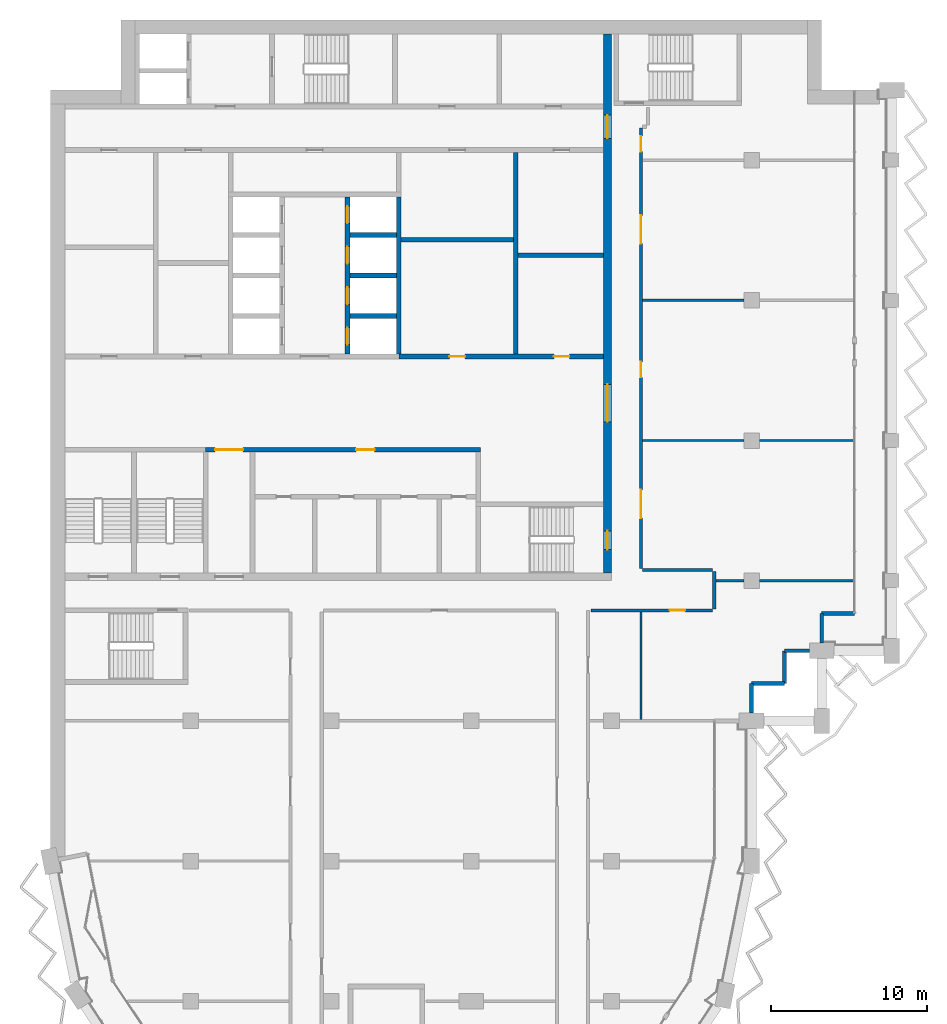
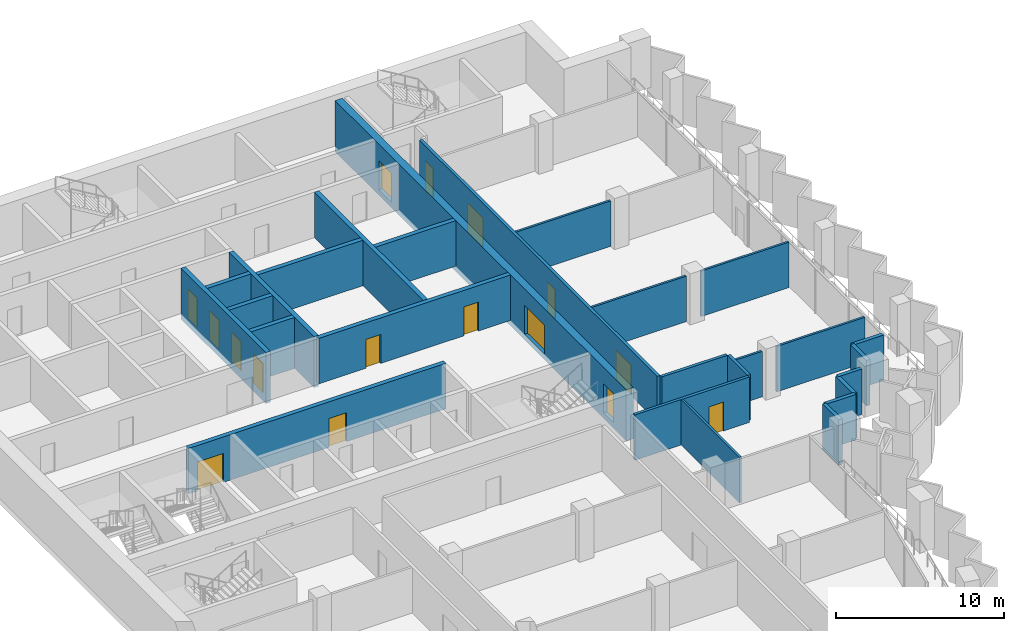
# One storey, part 10 of 17: 27 walls, 16 doors, 16 openings.
"""IFC4 building model written with IfcOpenShell, lengths in metres."""

from ifc_helpers import new_model, si_unit, direction, frame, frame_2d, origin, place, context, subcontext, project, spatial, rectangle, extrude, material, layer, layer_set, type_object, element, fill, save


model = new_model("IFC4")

# Units and contexts
model_context = context("Model", 3, precision=1e-05, world=origin(), true_north=direction((0.0, 1.0)))
body_context = subcontext(model_context, "Body", "Model", "MODEL_VIEW")
ifc_project = project(units=[si_unit("LENGTHUNIT", "METRE"), si_unit("AREAUNIT", "SQUARE_METRE"), si_unit("VOLUMEUNIT", "CUBIC_METRE"), si_unit("PLANEANGLEUNIT", "RADIAN"), si_unit("MASSUNIT", "GRAM", prefix="KILO")], contexts=[model_context])

# Site, building, storey
site_placement = place(None, origin())
site = spatial("IfcSite", under=ifc_project, at=site_placement, CompositionType="ELEMENT")
building_placement = place(site_placement, origin())
building = spatial("IfcBuilding", under=site, at=building_placement, Name="Hunhe Ridgeline Campus", CompositionType="ELEMENT")
storey_placement = place(building_placement, frame((0.0, 0.0, 265.10009765625)))
storey = spatial("IfcBuildingStorey", under=building, at=storey_placement, Name="L68", CompositionType="ELEMENT", Elevation=265.10009765625)

# Wall, openings, doors
ifc_material_1 = material(Name="Masonry concrete blockwork", Category="masonry")
ifc_layer_1 = layer(ifc_material_1, 0.300048828125)
ifc_layer_set_1 = layer_set([ifc_layer_1], Name="Core room partition 300 concrete block")
wall_type_1 = type_object("IfcWallType", Name="Core room partition 300 concrete block", PredefinedType="PARTITIONING", material=ifc_layer_set_1)
wall_1_placement = place(storey_placement, frame((9.949951171875, 71.39990234375, 0.0), z_axis=(0.0, 0.0, 1.0), x_axis=(1.0, 0.0, 0.0)))
wall_1 = element("IfcWall", 1, at=wall_1_placement, inside=storey, type_object=wall_type_1, Name="L68 core partition 9", PredefinedType="PARTITIONING", context=body_context, shape_type="SweptSolid", body=[
    extrude(rectangle(XDim=17.650146484375, YDim=0.300048828125, at=frame_2d((8.8251953125, 0.0))), origin(), (0.0, 0.0, 1.0), 3.2998046875),
])
opening_1_placement = place(wall_1_placement, frame((0.60009765625, 0.0, 0.0)))
opening_1 = element("IfcOpeningElement", 2, at=opening_1_placement, cuts=wall_1, Name="Opening CD7", PredefinedType="OPENING", context=body_context, shape_type="SweptSolid", body=[
    extrude(rectangle(XDim=1.800048828125, YDim=2.10009765625, at=frame_2d((0.89990234375, 1.050048828125))), frame((0.0, 0.14990234375, 0.0), z_axis=(0.0, -1.0, 0.0), x_axis=(1.0, 0.0, 0.0)), (0.0, 0.0, 1.0), 0.300048828125),
])
opening_2_placement = place(wall_1_placement, frame((9.64990234375, 0.0, 0.0)))
opening_2 = element("IfcOpeningElement", 3, at=opening_2_placement, cuts=wall_1, Name="Opening CD12", PredefinedType="OPENING", context=body_context, shape_type="SweptSolid", body=[
    extrude(rectangle(XDim=1.199951171875, YDim=2.10009765625, at=frame_2d((0.60009765625, 1.050048828125))), frame((0.0, 0.14990234375, 0.0), z_axis=(0.0, -1.0, 0.0), x_axis=(1.0, 0.0, 0.0)), (0.0, 0.0, 1.0), 0.300048828125),
])
ifc_material_2 = material(Name="Anodised aluminium and glass", Category="aluminium")
door_type_1 = type_object("IfcDoorType", Name="Glazed double door 1800x2100", OperationType="DOUBLE_DOOR_SINGLE_SWING", PredefinedType="DOOR", material=ifc_material_2)
door_1_placement = place(opening_1_placement, origin())
door_1 = element("IfcDoor", 4, at=door_1_placement, inside=storey, type_object=door_type_1, Name="L68 door VEST-HALL", OperationType="DOUBLE_DOOR_SINGLE_SWING", OverallHeight=2.10009765625, OverallWidth=1.800048828125, PredefinedType="DOOR", context=body_context, shape_type="SweptSolid", body=[
    extrude(rectangle(XDim=1.800048828125, YDim=2.10009765625, at=frame_2d((0.89990234375, 1.050048828125))), frame((0.0, 0.02490234375, 0.0), z_axis=(0.0, -1.0, 0.0), x_axis=(1.0, 0.0, 0.0)), (0.0, 0.0, 1.0), 0.050048828125),
])
fill(opening_1, door_1)
ifc_material_3 = material(Name="Solid core timber door leaf", Category="wood")
door_type_2 = type_object("IfcDoorType", Name="Timber door 1200x2100", OperationType="SINGLE_SWING_LEFT", PredefinedType="DOOR", material=ifc_material_3)
door_2_placement = place(opening_2_placement, origin())
door_2 = element("IfcDoor", 5, at=door_2_placement, inside=storey, type_object=door_type_2, Name="L68 door WCL2-HALL", OperationType="SINGLE_SWING_RIGHT", OverallHeight=2.10009765625, OverallWidth=1.199951171875, PredefinedType="DOOR", context=body_context, shape_type="SweptSolid", body=[
    extrude(rectangle(XDim=1.199951171875, YDim=2.10009765625, at=frame_2d((0.60009765625, 1.050048828125))), frame((0.0, 0.02490234375, 0.0), z_axis=(0.0, -1.0, 0.0), x_axis=(1.0, 0.0, 0.0)), (0.0, 0.0, 1.0), 0.050048828125),
])
fill(opening_2, door_2)

wall_2_placement = place(storey_placement, frame((22.35009765625, 77.39990234375, 0.0), z_axis=(0.0, 0.0, 1.0), x_axis=(1.0, 0.0, 0.0)))
wall_2 = element("IfcWall", 6, at=wall_2_placement, inside=storey, type_object=wall_type_1, Name="L68 core partition 11", PredefinedType="PARTITIONING", context=body_context, shape_type="SweptSolid", body=[
    extrude(rectangle(XDim=13.14990234375, YDim=0.300048828125, at=frame_2d((6.574951171875, 0.0))), origin(), (0.0, 0.0, 1.0), 3.2998046875),
])
opening_3_placement = place(wall_2_placement, frame((3.25, 0.0, 0.0)))
opening_3 = element("IfcOpeningElement", 7, at=opening_3_placement, cuts=wall_2, Name="Opening CD32", PredefinedType="OPENING", context=body_context, shape_type="SweptSolid", body=[
    extrude(rectangle(XDim=1.0, YDim=2.10009765625, at=frame_2d((0.5, 1.050048828125))), frame((0.0, 0.14990234375, 0.0), z_axis=(0.0, -1.0, 0.0), x_axis=(1.0, 0.0, 0.0)), (0.0, 0.0, 1.0), 0.300048828125),
])
opening_4_placement = place(wall_2_placement, frame((9.949951171875, 0.0, 0.0)))
opening_4 = element("IfcOpeningElement", 8, at=opening_4_placement, cuts=wall_2, Name="Opening CD42", PredefinedType="OPENING", context=body_context, shape_type="SweptSolid", body=[
    extrude(rectangle(XDim=1.0, YDim=2.10009765625, at=frame_2d((0.5, 1.050048828125))), frame((0.0, 0.14990234375, 0.0), z_axis=(0.0, -1.0, 0.0), x_axis=(1.0, 0.0, 0.0)), (0.0, 0.0, 1.0), 0.300048828125),
])
door_type_3 = type_object("IfcDoorType", Name="Timber door 1000x2100", OperationType="SINGLE_SWING_LEFT", PredefinedType="DOOR", material=ifc_material_3)
door_3_placement = place(opening_3_placement, origin())
door_3 = element("IfcDoor", 9, at=door_3_placement, inside=storey, type_object=door_type_3, Name="L68 door ES0", OperationType="SINGLE_SWING_LEFT", OverallHeight=2.10009765625, OverallWidth=1.0, PredefinedType="DOOR", context=body_context, shape_type="SweptSolid", body=[
    extrude(rectangle(XDim=1.0, YDim=2.10009765625, at=frame_2d((0.5, 1.050048828125))), frame((0.0, 0.02490234375, 0.0), z_axis=(0.0, -1.0, 0.0), x_axis=(1.0, 0.0, 0.0)), (0.0, 0.0, 1.0), 0.050048828125),
])
fill(opening_3, door_3)
door_4_placement = place(opening_4_placement, origin())
door_4 = element("IfcDoor", 10, at=door_4_placement, inside=storey, type_object=door_type_3, Name="L68 door ES2", OperationType="SINGLE_SWING_LEFT", OverallHeight=2.10009765625, OverallWidth=1.0, PredefinedType="DOOR", context=body_context, shape_type="SweptSolid", body=[
    extrude(rectangle(XDim=1.0, YDim=2.10009765625, at=frame_2d((0.5, 1.050048828125))), frame((0.0, 0.02490234375, 0.0), z_axis=(0.0, -1.0, 0.0), x_axis=(1.0, 0.0, 0.0)), (0.0, 0.0, 1.0), 0.050048828125),
])
fill(opening_4, door_4)

# Walls
wall_3_placement = place(storey_placement, frame((30.0, 83.89990234375, 0.0), z_axis=(0.0, 0.0, 1.0), x_axis=(1.0, 0.0, 0.0)))
element("IfcWall", 11, at=wall_3_placement, inside=storey, type_object=wall_type_1, Name="L68 core partition 17", PredefinedType="PARTITIONING", context=body_context, shape_type="SweptSolid", body=[
    extrude(rectangle(XDim=5.5, YDim=0.300048828125, at=frame_2d((2.75, 0.0))), origin(), (0.0, 0.0, 1.0), 3.2998046875),
])
wall_4_placement = place(storey_placement, frame((22.5, 84.89990234375, 0.0), z_axis=(0.0, 0.0, 1.0), x_axis=(1.0, 0.0, 0.0)))
element("IfcWall", 12, at=wall_4_placement, inside=storey, type_object=wall_type_1, Name="L68 core partition 19", PredefinedType="PARTITIONING", context=body_context, shape_type="SweptSolid", body=[
    extrude(rectangle(XDim=7.199951171875, YDim=0.300048828125, at=frame_2d((3.60009765625, 0.0))), origin(), (0.0, 0.0, 1.0), 3.2998046875),
])
wall_5_placement = place(storey_placement, frame((29.85009765625, 77.550048828125, 0.0), z_axis=(0.0, 0.0, 1.0), x_axis=(0.0, 1.0, 0.0)))
element("IfcWall", 13, at=wall_5_placement, inside=storey, type_object=wall_type_1, Name="L68 core partition 50", PredefinedType="PARTITIONING", context=body_context, shape_type="SweptSolid", body=[
    extrude(rectangle(XDim=12.949951171875, YDim=0.300048828125, at=frame_2d((6.47509765625, 0.0))), origin(), (0.0, 0.0, 1.0), 3.2998046875),
])

# Wall, openings, doors
ifc_material_4 = material(Name="Concrete C50", Category="concrete")
ifc_layer_2 = layer(ifc_material_4, 0.5)
ifc_layer_set_2 = layer_set([ifc_layer_2], Name="Core wall 500 reinforced concrete C50")
wall_type_2 = type_object("IfcWallType", Name="Core wall 500 reinforced concrete C50", PredefinedType="SOLIDWALL", material=ifc_layer_set_2)
wall_6_placement = place(storey_placement, frame((35.75, 63.5, -0.400146484375), z_axis=(0.0, 0.0, 1.0), x_axis=(0.0, 1.0, 0.0)))
wall_6 = element("IfcWall", 14, at=wall_6_placement, inside=storey, type_object=wall_type_2, Name="L68 core wall 51", PredefinedType="SOLIDWALL", context=body_context, shape_type="SweptSolid", body=[
    extrude(rectangle(XDim=34.60009765625, YDim=0.5, at=frame_2d((17.300048828125, 0.0))), origin(), (0.0, 0.0, 1.0), 3.699951171875),
])
opening_5_placement = place(wall_6_placement, frame((9.699951171875, 0.0, 0.39990234375)))
opening_5 = element("IfcOpeningElement", 15, at=opening_5_placement, cuts=wall_6, Name="Opening CD4", PredefinedType="OPENING", context=body_context, shape_type="SweptSolid", body=[
    extrude(rectangle(XDim=2.39990234375, YDim=2.10009765625, at=frame_2d((1.199951171875, 1.050048828125))), frame((0.0, 0.25, 0.0), z_axis=(0.0, -1.0, 0.0), x_axis=(1.0, 0.0, 0.0)), (0.0, 0.0, 1.0), 0.5),
])
opening_6_placement = place(wall_6_placement, frame((27.89990234375, 0.0, 0.39990234375)))
opening_6 = element("IfcOpeningElement", 16, at=opening_6_placement, cuts=wall_6, Name="Opening CD5", PredefinedType="OPENING", context=body_context, shape_type="SweptSolid", body=[
    extrude(rectangle(XDim=1.5, YDim=2.10009765625, at=frame_2d((0.75, 1.050048828125))), frame((0.0, 0.25, 0.0), z_axis=(0.0, -1.0, 0.0), x_axis=(1.0, 0.0, 0.0)), (0.0, 0.0, 1.0), 0.5),
])
opening_7_placement = place(wall_6_placement, frame((1.5, 0.0, 0.39990234375)))
opening_7 = element("IfcOpeningElement", 17, at=opening_7_placement, cuts=wall_6, Name="Opening CD15", PredefinedType="OPENING", context=body_context, shape_type="SweptSolid", body=[
    extrude(rectangle(XDim=1.199951171875, YDim=2.10009765625, at=frame_2d((0.60009765625, 1.050048828125))), frame((0.0, 0.25, 0.0), z_axis=(0.0, -1.0, 0.0), x_axis=(1.0, 0.0, 0.0)), (0.0, 0.0, 1.0), 0.5),
])
door_type_4 = type_object("IfcDoorType", Name="Glazed double door 2400x2100", OperationType="DOUBLE_DOOR_SINGLE_SWING", PredefinedType="DOOR", material=ifc_material_2)
door_5_placement = place(opening_5_placement, frame((2.39990234375, 0.0, 0.0), z_axis=(0.0, 0.0, 1.0), x_axis=(-1.0, 0.0, 0.0)))
door_5 = element("IfcDoor", 18, at=door_5_placement, inside=storey, type_object=door_type_4, Name="L68 door HALL-FLOOR", OperationType="DOUBLE_DOOR_SINGLE_SWING", OverallHeight=2.10009765625, OverallWidth=2.39990234375, PredefinedType="DOOR", context=body_context, shape_type="SweptSolid", body=[
    extrude(rectangle(XDim=2.39990234375, YDim=2.10009765625, at=frame_2d((1.199951171875, 1.050048828125))), frame((0.0, 0.02490234375, 0.0), z_axis=(0.0, -1.0, 0.0), x_axis=(1.0, 0.0, 0.0)), (0.0, 0.0, 1.0), 0.050048828125),
])
fill(opening_5, door_5)
ifc_material_5 = material(Name="Hollow metal fire door leaf")
door_type_5 = type_object("IfcDoorType", Name="Stair door 1200x2100 FD60", OperationType="SINGLE_SWING_LEFT", PredefinedType="DOOR", material=ifc_material_5)
door_6_placement = place(opening_7_placement, frame((1.199951171875, 0.0, 0.0), z_axis=(0.0, 0.0, 1.0), x_axis=(-1.0, 0.0, 0.0)))
door_6 = element("IfcDoor", 19, at=door_6_placement, inside=storey, type_object=door_type_5, Name="L68 door S2-FLOOR", OperationType="SINGLE_SWING_LEFT", OverallHeight=2.10009765625, OverallWidth=1.199951171875, PredefinedType="DOOR", context=body_context, shape_type="SweptSolid", body=[
    extrude(rectangle(XDim=1.199951171875, YDim=2.10009765625, at=frame_2d((0.60009765625, 1.050048828125))), frame((0.0, 0.02490234375, 0.0), z_axis=(0.0, -1.0, 0.0), x_axis=(1.0, 0.0, 0.0)), (0.0, 0.0, 1.0), 0.050048828125),
])
fill(opening_7, door_6)
door_type_6 = type_object("IfcDoorType", Name="Timber door 1500x2100", OperationType="SINGLE_SWING_LEFT", PredefinedType="DOOR", material=ifc_material_3)
door_7_placement = place(opening_6_placement, frame((1.5, 0.0, 0.0), z_axis=(0.0, 0.0, 1.0), x_axis=(-1.0, 0.0, 0.0)))
door_7 = element("IfcDoor", 20, at=door_7_placement, inside=storey, type_object=door_type_6, Name="L68 door C1-FLOOR", OperationType="SINGLE_SWING_LEFT", OverallHeight=2.10009765625, OverallWidth=1.5, PredefinedType="DOOR", context=body_context, shape_type="SweptSolid", body=[
    extrude(rectangle(XDim=1.5, YDim=2.10009765625, at=frame_2d((0.75, 1.050048828125))), frame((0.0, 0.02490234375, 0.0), z_axis=(0.0, -1.0, 0.0), x_axis=(1.0, 0.0, 0.0)), (0.0, 0.0, 1.0), 0.050048828125),
])
fill(opening_6, door_7)

# Walls
ifc_material_6 = material(Name="Concrete C30", Category="concrete")
ifc_layer_3 = layer(ifc_material_6, 0.25)
ifc_layer_set_3 = layer_set([ifc_layer_3], Name="Corner return wall 250 Concrete C30")
wall_type_3 = type_object("IfcWallType", Name="Corner return wall 250 Concrete C30", PredefinedType="SOLIDWALL", material=ifc_layer_set_3)
wall_7_placement = place(storey_placement, frame((44.9990234375, 54.5, 0.0), z_axis=(0.0, 0.0, 1.0), x_axis=(0.000128452151, 0.99999999175, 0.0)))
element("IfcWall", 21, at=wall_7_placement, inside=storey, type_object=wall_type_3, Name="Corner return wall 3", PredefinedType="SOLIDWALL", context=body_context, shape_type="SweptSolid", body=[
    extrude(rectangle(XDim=1.900634765625, YDim=0.25, at=frame_2d((0.9501953125, 0.0))), origin(), (0.0, 0.0, 1.0), 3.2998046875),
])
wall_8_placement = place(storey_placement, frame((44.999267578125, 56.400634765625, 0.0), z_axis=(0.0, 0.0, 1.0), x_axis=(0.999999993241, 0.00011626555, 0.0)))
element("IfcWall", 22, at=wall_8_placement, inside=storey, type_object=wall_type_3, Name="Corner return wall 4", PredefinedType="SOLIDWALL", context=body_context, shape_type="SweptSolid", body=[
    extrude(rectangle(XDim=2.099853515625, YDim=0.25, at=frame_2d((1.0498046875, 0.0))), origin(), (0.0, 0.0, 1.0), 3.2998046875),
])
wall_9_placement = place(storey_placement, frame((47.09912109375, 56.40087890625, 0.0), z_axis=(0.0, 0.0, 1.0), x_axis=(0.000232504063, 0.999999972971, 0.0)))
element("IfcWall", 23, at=wall_9_placement, inside=storey, type_object=wall_type_3, Name="Corner return wall 5", PredefinedType="SOLIDWALL", context=body_context, shape_type="SweptSolid", body=[
    extrude(rectangle(XDim=2.10009765625, YDim=0.25, at=frame_2d((1.050048828125, 0.0))), origin(), (0.0, 0.0, 1.0), 3.2998046875),
])
wall_10_placement = place(storey_placement, frame((47.099609375, 58.5009765625, 0.0), z_axis=(0.0, 0.0, 1.0), x_axis=(1.0, 0.0, 0.0)))
element("IfcWall", 24, at=wall_10_placement, inside=storey, type_object=wall_type_3, Name="Corner return wall 6", PredefinedType="SOLIDWALL", context=body_context, shape_type="SweptSolid", body=[
    extrude(rectangle(XDim=1.600341796875, YDim=0.25, at=frame_2d((0.80029296875, 0.0))), origin(), (0.0, 0.0, 1.0), 3.2998046875),
])
wall_11_placement = place(storey_placement, frame((49.4990234375, 59.0, 0.0), z_axis=(0.0, 0.0, 1.0), x_axis=(0.000256871299, 0.999999967009, 0.0)))
element("IfcWall", 25, at=wall_11_placement, inside=storey, type_object=wall_type_3, Name="Corner return wall 7", PredefinedType="SOLIDWALL", context=body_context, shape_type="SweptSolid", body=[
    extrude(rectangle(XDim=1.90087890625, YDim=0.25, at=frame_2d((0.950439453125, 0.0))), origin(), (0.0, 0.0, 1.0), 3.2998046875),
])
wall_12_placement = place(storey_placement, frame((49.49951171875, 60.90087890625, 0.0), z_axis=(0.0, 0.0, 1.0), x_axis=(1.0, 0.0, 0.0)))
element("IfcWall", 26, at=wall_12_placement, inside=storey, type_object=wall_type_3, Name="Corner return wall 8", PredefinedType="SOLIDWALL", context=body_context, shape_type="SweptSolid", body=[
    extrude(rectangle(XDim=2.099609375, YDim=0.25, at=frame_2d((1.0498046875, 0.0))), origin(), (0.0, 0.0, 1.0), 3.2998046875),
])

# Wall, opening, door
ifc_material_7 = material(Name="Gypsum board partition")
ifc_layer_4 = layer(ifc_material_7, 0.199951171875)
ifc_layer_set_4 = layer_set([ifc_layer_4], Name="Corridor partition 200 gypsum board on steel studs")
wall_type_4 = type_object("IfcWallType", Name="Corridor partition 200 gypsum board on steel studs", PredefinedType="PARTITIONING", material=ifc_layer_set_4)
wall_13_placement = place(storey_placement, frame((42.5, 61.10009765625, 0.0), z_axis=(0.0, 0.0, 1.0), x_axis=(-1.0, 0.0, 0.0)))
wall_13 = element("IfcWall", 27, at=wall_13_placement, inside=storey, type_object=wall_type_4, Name="F-L68-wall-026", PredefinedType="PARTITIONING", context=body_context, shape_type="SweptSolid", body=[
    extrude(rectangle(XDim=7.828369140625, YDim=0.199951171875, at=frame_2d((3.9140625, 0.0))), origin(), (0.0, 0.0, 1.0), 3.2998046875),
])
opening_8_placement = place(wall_13_placement, frame((1.772705078125, 0.0, 0.0)))
opening_8 = element("IfcOpeningElement", 28, at=opening_8_placement, cuts=wall_13, Name="Opening RD1-013", PredefinedType="OPENING", context=body_context, shape_type="SweptSolid", body=[
    extrude(rectangle(XDim=1.0, YDim=2.10009765625, at=frame_2d((0.5, 1.050048828125))), frame((0.0, 0.10009765625, 0.0), z_axis=(0.0, -1.0, 0.0), x_axis=(1.0, 0.0, 0.0)), (0.0, 0.0, 1.0), 0.199951171875),
])
ifc_material_8 = material(Name="Timber door leaf", Category="wood")
door_type_7 = type_object("IfcDoorType", Name="Single fire door 1000x2100 timber FD60", OperationType="NOTDEFINED", PredefinedType="DOOR", material=ifc_material_8)
door_8_placement = place(opening_8_placement, origin())
door_8 = element("IfcDoor", 29, at=door_8_placement, inside=storey, type_object=door_type_7, Name="F-L68-door-013", OperationType="SINGLE_SWING_LEFT", OverallHeight=2.10009765625, OverallWidth=1.0, PredefinedType="DOOR", context=body_context, shape_type="SweptSolid", body=[
    extrude(rectangle(XDim=1.0, YDim=2.10009765625, at=frame_2d((0.5, 1.050048828125))), frame((0.0, 0.02490234375, 0.0), z_axis=(0.0, -1.0, 0.0), x_axis=(1.0, 0.0, 0.0)), (0.0, 0.0, 1.0), 0.050048828125),
])
fill(opening_8, door_8)

# Wall
wall_14_placement = place(storey_placement, frame((38.0, 63.699951171875, 0.0), z_axis=(0.0, 0.0, 1.0), x_axis=(1.0, 0.0, 0.0)))
element("IfcWall", 30, at=wall_14_placement, inside=storey, type_object=wall_type_4, Name="F-L68-wall-029", PredefinedType="PARTITIONING", context=body_context, shape_type="SweptSolid", body=[
    extrude(rectangle(XDim=4.5, YDim=0.199951171875, at=frame_2d((2.25, 0.0))), origin(), (0.0, 0.0, 1.0), 3.2998046875),
])

# Wall, openings, doors
wall_15_placement = place(storey_placement, frame((37.89990234375, 92.050048828125, 0.0), z_axis=(0.0, 0.0, 1.0), x_axis=(0.0, -1.0, 0.0)))
wall_15 = element("IfcWall", 31, at=wall_15_placement, inside=storey, type_object=wall_type_4, Name="F-L68-wall-046", PredefinedType="PARTITIONING", context=body_context, shape_type="SweptSolid", body=[
    extrude(rectangle(XDim=28.25, YDim=0.199951171875, at=frame_2d((14.125, 0.0))), origin(), (0.0, 0.0, 1.0), 3.2998046875),
])
opening_9_placement = place(wall_15_placement, frame((23.22509765625, 0.0, 0.0)))
opening_9 = element("IfcOpeningElement", 32, at=opening_9_placement, cuts=wall_15, Name="Opening RD2-014", PredefinedType="OPENING", context=body_context, shape_type="SweptSolid", body=[
    extrude(rectangle(XDim=1.800048828125, YDim=2.10009765625, at=frame_2d((0.89990234375, 1.050048828125))), frame((0.0, 0.10009765625, 0.0), z_axis=(0.0, -1.0, 0.0), x_axis=(1.0, 0.0, 0.0)), (0.0, 0.0, 1.0), 0.199951171875),
])
opening_10_placement = place(wall_15_placement, frame((15.0, 0.0, 0.0)))
opening_10 = element("IfcOpeningElement", 33, at=opening_10_placement, cuts=wall_15, Name="Opening RD1-015", PredefinedType="OPENING", context=body_context, shape_type="SweptSolid", body=[
    extrude(rectangle(XDim=1.0, YDim=2.10009765625, at=frame_2d((0.5, 1.050048828125))), frame((0.0, 0.10009765625, 0.0), z_axis=(0.0, -1.0, 0.0), x_axis=(1.0, 0.0, 0.0)), (0.0, 0.0, 1.0), 0.199951171875),
])
opening_11_placement = place(wall_15_placement, frame((5.60009765625, 0.0, 0.0)))
opening_11 = element("IfcOpeningElement", 34, at=opening_11_placement, cuts=wall_15, Name="Opening RD2-016", PredefinedType="OPENING", context=body_context, shape_type="SweptSolid", body=[
    extrude(rectangle(XDim=1.800048828125, YDim=2.10009765625, at=frame_2d((0.89990234375, 1.050048828125))), frame((0.0, 0.10009765625, 0.0), z_axis=(0.0, -1.0, 0.0), x_axis=(1.0, 0.0, 0.0)), (0.0, 0.0, 1.0), 0.199951171875),
])
opening_12_placement = place(wall_15_placement, frame((0.5, 0.0, 0.0)))
opening_12 = element("IfcOpeningElement", 35, at=opening_12_placement, cuts=wall_15, Name="Opening RD1-017", PredefinedType="OPENING", context=body_context, shape_type="SweptSolid", body=[
    extrude(rectangle(XDim=1.0, YDim=2.10009765625, at=frame_2d((0.5, 1.050048828125))), frame((0.0, 0.10009765625, 0.0), z_axis=(0.0, -1.0, 0.0), x_axis=(1.0, 0.0, 0.0)), (0.0, 0.0, 1.0), 0.199951171875),
])
door_type_8 = type_object("IfcDoorType", Name="Double fire door 1800x2100 timber FD60", OperationType="DOUBLE_DOOR_SINGLE_SWING", PredefinedType="DOOR", material=ifc_material_8)
door_9_placement = place(opening_9_placement, origin())
door_9 = element("IfcDoor", 36, at=door_9_placement, inside=storey, type_object=door_type_8, Name="F-L68-door-014", OperationType="DOUBLE_DOOR_SINGLE_SWING", OverallHeight=2.10009765625, OverallWidth=1.800048828125, PredefinedType="DOOR", context=body_context, shape_type="SweptSolid", body=[
    extrude(rectangle(XDim=1.800048828125, YDim=2.10009765625, at=frame_2d((0.89990234375, 1.050048828125))), frame((0.0, 0.02490234375, 0.0), z_axis=(0.0, -1.0, 0.0), x_axis=(1.0, 0.0, 0.0)), (0.0, 0.0, 1.0), 0.050048828125),
])
fill(opening_9, door_9)
door_10_placement = place(opening_11_placement, origin())
door_10 = element("IfcDoor", 37, at=door_10_placement, inside=storey, type_object=door_type_8, Name="F-L68-door-016", OperationType="DOUBLE_DOOR_SINGLE_SWING", OverallHeight=2.10009765625, OverallWidth=1.800048828125, PredefinedType="DOOR", context=body_context, shape_type="SweptSolid", body=[
    extrude(rectangle(XDim=1.800048828125, YDim=2.10009765625, at=frame_2d((0.89990234375, 1.050048828125))), frame((0.0, 0.02490234375, 0.0), z_axis=(0.0, -1.0, 0.0), x_axis=(1.0, 0.0, 0.0)), (0.0, 0.0, 1.0), 0.050048828125),
])
fill(opening_11, door_10)
door_11_placement = place(opening_10_placement, origin())
door_11 = element("IfcDoor", 38, at=door_11_placement, inside=storey, type_object=door_type_7, Name="F-L68-door-015", OperationType="SINGLE_SWING_LEFT", OverallHeight=2.10009765625, OverallWidth=1.0, PredefinedType="DOOR", context=body_context, shape_type="SweptSolid", body=[
    extrude(rectangle(XDim=1.0, YDim=2.10009765625, at=frame_2d((0.5, 1.050048828125))), frame((0.0, 0.02490234375, 0.0), z_axis=(0.0, -1.0, 0.0), x_axis=(1.0, 0.0, 0.0)), (0.0, 0.0, 1.0), 0.050048828125),
])
fill(opening_10, door_11)
door_12_placement = place(opening_12_placement, origin())
door_12 = element("IfcDoor", 39, at=door_12_placement, inside=storey, type_object=door_type_7, Name="F-L68-door-017", OperationType="SINGLE_SWING_LEFT", OverallHeight=2.10009765625, OverallWidth=1.0, PredefinedType="DOOR", context=body_context, shape_type="SweptSolid", body=[
    extrude(rectangle(XDim=1.0, YDim=2.10009765625, at=frame_2d((0.5, 1.050048828125))), frame((0.0, 0.02490234375, 0.0), z_axis=(0.0, -1.0, 0.0), x_axis=(1.0, 0.0, 0.0)), (0.0, 0.0, 1.0), 0.050048828125),
])
fill(opening_12, door_12)

# Walls
wall_16_placement = place(storey_placement, frame((42.60009765625, 63.60009765625, 0.0), z_axis=(0.0, 0.0, 1.0), x_axis=(0.0, -1.0, 0.0)))
element("IfcWall", 40, at=wall_16_placement, inside=storey, type_object=wall_type_4, Name="F-L68-wall-048", PredefinedType="PARTITIONING", context=body_context, shape_type="SweptSolid", body=[
    extrude(rectangle(XDim=2.400146484375, YDim=0.199951171875, at=frame_2d((1.2001953125, 0.0))), origin(), (0.0, 0.0, 1.0), 3.2998046875),
])
ifc_layer_5 = layer(ifc_material_7, 0.14990234375)
ifc_layer_set_5 = layer_set([ifc_layer_5], Name="Room partition 150 gypsum board on steel studs")
wall_type_5 = type_object("IfcWallType", Name="Room partition 150 gypsum board on steel studs", PredefinedType="PARTITIONING", material=ifc_layer_set_5)
wall_17_placement = place(storey_placement, frame((42.699951171875, 63.0, 0.0), z_axis=(0.0, 0.0, 1.0), x_axis=(1.0, 0.0, 0.0)))
element("IfcWall", 41, at=wall_17_placement, inside=storey, type_object=wall_type_5, Name="F-L68-wall-027", PredefinedType="PARTITIONING", context=body_context, shape_type="SweptSolid", body=[
    extrude(rectangle(XDim=1.800048828125, YDim=0.14990234375, at=frame_2d((0.89990234375, 0.0))), origin(), (0.0, 0.0, 1.0), 3.2998046875),
])
wall_18_placement = place(storey_placement, frame((45.5, 63.0, 0.0), z_axis=(0.0, 0.0, 1.0), x_axis=(1.0, 0.0, 0.0)))
element("IfcWall", 42, at=wall_18_placement, inside=storey, type_object=wall_type_5, Name="F-L68-wall-028", PredefinedType="PARTITIONING", context=body_context, shape_type="SweptSolid", body=[
    extrude(rectangle(XDim=6.044921875, YDim=0.14990234375, at=frame_2d((3.0224609375, 0.0))), origin(), (0.0, 0.0, 1.0), 3.2998046875),
])
wall_19_placement = place(storey_placement, frame((38.0, 72.0, 0.0), z_axis=(0.0, 0.0, 1.0), x_axis=(1.0, 0.0, 0.0)))
element("IfcWall", 43, at=wall_19_placement, inside=storey, type_object=wall_type_5, Name="F-L68-wall-030", PredefinedType="PARTITIONING", context=body_context, shape_type="SweptSolid", body=[
    extrude(rectangle(XDim=6.5, YDim=0.14990234375, at=frame_2d((3.25, 0.0))), origin(), (0.0, 0.0, 1.0), 3.2998046875),
])
wall_20_placement = place(storey_placement, frame((45.5, 72.0, 0.0), z_axis=(0.0, 0.0, 1.0), x_axis=(1.0, 0.0, 0.0)))
element("IfcWall", 44, at=wall_20_placement, inside=storey, type_object=wall_type_5, Name="F-L68-wall-031", PredefinedType="PARTITIONING", context=body_context, shape_type="SweptSolid", body=[
    extrude(rectangle(XDim=6.044921875, YDim=0.14990234375, at=frame_2d((3.0224609375, 0.0))), origin(), (0.0, 0.0, 1.0), 3.2998046875),
])
wall_21_placement = place(storey_placement, frame((38.0, 81.0, 0.0), z_axis=(0.0, 0.0, 1.0), x_axis=(1.0, 0.0, 0.0)))
element("IfcWall", 45, at=wall_21_placement, inside=storey, type_object=wall_type_5, Name="F-L68-wall-032", PredefinedType="PARTITIONING", context=body_context, shape_type="SweptSolid", body=[
    extrude(rectangle(XDim=6.5, YDim=0.14990234375, at=frame_2d((3.25, 0.0))), origin(), (0.0, 0.0, 1.0), 3.2998046875),
])
wall_22_placement = place(storey_placement, frame((37.89990234375, 61.0, 0.0), z_axis=(0.0, 0.0, 1.0), x_axis=(0.0, -1.0, 0.0)))
element("IfcWall", 46, at=wall_22_placement, inside=storey, type_object=wall_type_5, Name="F-L68-wall-045", PredefinedType="PARTITIONING", context=body_context, shape_type="SweptSolid", body=[
    extrude(rectangle(XDim=6.925048828125, YDim=0.14990234375, at=frame_2d((3.46240234375, 0.0))), origin(), (0.0, 0.0, 1.0), 3.2998046875),
])
ifc_layer_6 = layer(ifc_material_4, 0.300048828125)
ifc_layer_set_6 = layer_set([ifc_layer_6], Name="Shaft wall 300 reinforced concrete C50")
wall_type_6 = type_object("IfcWallType", Name="Shaft wall 300 reinforced concrete C50", PredefinedType="SOLIDWALL", material=ifc_layer_set_6)
for number, where, z_axis, x_axis, name in (
    (47, (19.199951171875, 80.0, -0.400146484375), (0.0, 0.0, 1.0), (1.0, 0.0, 0.0), "L68 core wall 13"),
    (48, (19.199951171875, 82.60009765625, -0.400146484375), (0.0, 0.0, 1.0), (1.0, 0.0, 0.0), "L68 core wall 15"),
    (49, (19.199951171875, 85.199951171875, -0.400146484375), (0.0, 0.0, 1.0), (1.0, 0.0, 0.0), "L68 core wall 21"),
):
    element("IfcWall", number, at=place(storey_placement, frame(where, z_axis=z_axis, x_axis=x_axis)), inside=storey, type_object=wall_type_6, Name=name, PredefinedType="SOLIDWALL", context=body_context, shape_type="SweptSolid", body=[
        extrude(rectangle(XDim=3.0, YDim=0.300048828125, at=frame_2d((1.5, 0.0))), origin(), (0.0, 0.0, 1.0), 3.699951171875),
    ])

# Wall, openings, doors
wall_23_placement = place(storey_placement, frame((19.050048828125, 77.550048828125, -0.400146484375), z_axis=(0.0, 0.0, 1.0), x_axis=(0.0, 1.0, 0.0)))
wall_23 = element("IfcWall", 50, at=wall_23_placement, inside=storey, type_object=wall_type_6, Name="L68 core wall 39", PredefinedType="SOLIDWALL", context=body_context, shape_type="SweptSolid", body=[
    extrude(rectangle(XDim=10.099853515625, YDim=0.300048828125, at=frame_2d((5.0498046875, 0.0))), origin(), (0.0, 0.0, 1.0), 3.699951171875),
])
opening_13_placement = place(wall_23_placement, frame((0.60009765625, 0.0, 0.39990234375)))
opening_13 = element("IfcOpeningElement", 51, at=opening_13_placement, cuts=wall_23, Name="Opening LD-HR5", PredefinedType="OPENING", context=body_context, shape_type="SweptSolid", body=[
    extrude(rectangle(XDim=1.10009765625, YDim=2.10009765625, at=frame_2d((0.550048828125, 1.050048828125))), frame((0.0, 0.14990234375, 0.0), z_axis=(0.0, -1.0, 0.0), x_axis=(1.0, 0.0, 0.0)), (0.0, 0.0, 1.0), 0.300048828125),
])
opening_14_placement = place(wall_23_placement, frame((3.199951171875, 0.0, 0.39990234375)))
opening_14 = element("IfcOpeningElement", 52, at=opening_14_placement, cuts=wall_23, Name="Opening LD-HR6", PredefinedType="OPENING", context=body_context, shape_type="SweptSolid", body=[
    extrude(rectangle(XDim=1.10009765625, YDim=2.10009765625, at=frame_2d((0.550048828125, 1.050048828125))), frame((0.0, 0.14990234375, 0.0), z_axis=(0.0, -1.0, 0.0), x_axis=(1.0, 0.0, 0.0)), (0.0, 0.0, 1.0), 0.300048828125),
])
opening_15_placement = place(wall_23_placement, frame((5.800048828125, 0.0, 0.39990234375)))
opening_15 = element("IfcOpeningElement", 53, at=opening_15_placement, cuts=wall_23, Name="Opening LD-HR7", PredefinedType="OPENING", context=body_context, shape_type="SweptSolid", body=[
    extrude(rectangle(XDim=1.10009765625, YDim=2.10009765625, at=frame_2d((0.550048828125, 1.050048828125))), frame((0.0, 0.14990234375, 0.0), z_axis=(0.0, -1.0, 0.0), x_axis=(1.0, 0.0, 0.0)), (0.0, 0.0, 1.0), 0.300048828125),
])
opening_16_placement = place(wall_23_placement, frame((8.39990234375, 0.0, 0.39990234375)))
opening_16 = element("IfcOpeningElement", 54, at=opening_16_placement, cuts=wall_23, Name="Opening LD-HR8", PredefinedType="OPENING", context=body_context, shape_type="SweptSolid", body=[
    extrude(rectangle(XDim=1.10009765625, YDim=2.10009765625, at=frame_2d((0.550048828125, 1.050048828125))), frame((0.0, 0.14990234375, 0.0), z_axis=(0.0, -1.0, 0.0), x_axis=(1.0, 0.0, 0.0)), (0.0, 0.0, 1.0), 0.300048828125),
])
ifc_material_9 = material(Name="Stainless steel sliding leaves", Category="steel")
door_type_9 = type_object("IfcDoorType", Name="Landing door 1100x2100 FD120", OperationType="SLIDING_TO_LEFT", PredefinedType="DOOR", material=ifc_material_9)
door_13_placement = place(opening_13_placement, origin())
door_13 = element("IfcDoor", 55, at=door_13_placement, inside=storey, type_object=door_type_9, Name="L68 landing door HR5", OperationType="SLIDING_TO_RIGHT", OverallHeight=2.10009765625, OverallWidth=1.10009765625, PredefinedType="DOOR", context=body_context, shape_type="SweptSolid", body=[
    extrude(rectangle(XDim=1.10009765625, YDim=2.10009765625, at=frame_2d((0.550048828125, 1.050048828125))), frame((0.0, 0.02490234375, 0.0), z_axis=(0.0, -1.0, 0.0), x_axis=(1.0, 0.0, 0.0)), (0.0, 0.0, 1.0), 0.050048828125),
])
fill(opening_13, door_13)
door_14_placement = place(opening_14_placement, origin())
door_14 = element("IfcDoor", 56, at=door_14_placement, inside=storey, type_object=door_type_9, Name="L68 landing door HR6", OperationType="SLIDING_TO_LEFT", OverallHeight=2.10009765625, OverallWidth=1.10009765625, PredefinedType="DOOR", context=body_context, shape_type="SweptSolid", body=[
    extrude(rectangle(XDim=1.10009765625, YDim=2.10009765625, at=frame_2d((0.550048828125, 1.050048828125))), frame((0.0, 0.02490234375, 0.0), z_axis=(0.0, -1.0, 0.0), x_axis=(1.0, 0.0, 0.0)), (0.0, 0.0, 1.0), 0.050048828125),
])
fill(opening_14, door_14)
door_15_placement = place(opening_15_placement, origin())
door_15 = element("IfcDoor", 57, at=door_15_placement, inside=storey, type_object=door_type_9, Name="L68 landing door HR7", OperationType="SLIDING_TO_RIGHT", OverallHeight=2.10009765625, OverallWidth=1.10009765625, PredefinedType="DOOR", context=body_context, shape_type="SweptSolid", body=[
    extrude(rectangle(XDim=1.10009765625, YDim=2.10009765625, at=frame_2d((0.550048828125, 1.050048828125))), frame((0.0, 0.02490234375, 0.0), z_axis=(0.0, -1.0, 0.0), x_axis=(1.0, 0.0, 0.0)), (0.0, 0.0, 1.0), 0.050048828125),
])
fill(opening_15, door_15)
door_16_placement = place(opening_16_placement, origin())
door_16 = element("IfcDoor", 58, at=door_16_placement, inside=storey, type_object=door_type_9, Name="L68 landing door HR8", OperationType="SLIDING_TO_LEFT", OverallHeight=2.10009765625, OverallWidth=1.10009765625, PredefinedType="DOOR", context=body_context, shape_type="SweptSolid", body=[
    extrude(rectangle(XDim=1.10009765625, YDim=2.10009765625, at=frame_2d((0.550048828125, 1.050048828125))), frame((0.0, 0.02490234375, 0.0), z_axis=(0.0, -1.0, 0.0), x_axis=(1.0, 0.0, 0.0)), (0.0, 0.0, 1.0), 0.050048828125),
])
fill(opening_16, door_16)

# Wall
wall_24_placement = place(storey_placement, frame((22.35009765625, 77.550048828125, -0.400146484375), z_axis=(0.0, 0.0, 1.0), x_axis=(0.0, 1.0, 0.0)))
element("IfcWall", 59, at=wall_24_placement, inside=storey, type_object=wall_type_6, Name="L68 core wall 43", PredefinedType="SOLIDWALL", context=body_context, shape_type="SweptSolid", body=[
    extrude(rectangle(XDim=10.099853515625, YDim=0.300048828125, at=frame_2d((5.0498046875, 0.0))), origin(), (0.0, 0.0, 1.0), 3.699951171875),
])

save(model, "model.ifc")
